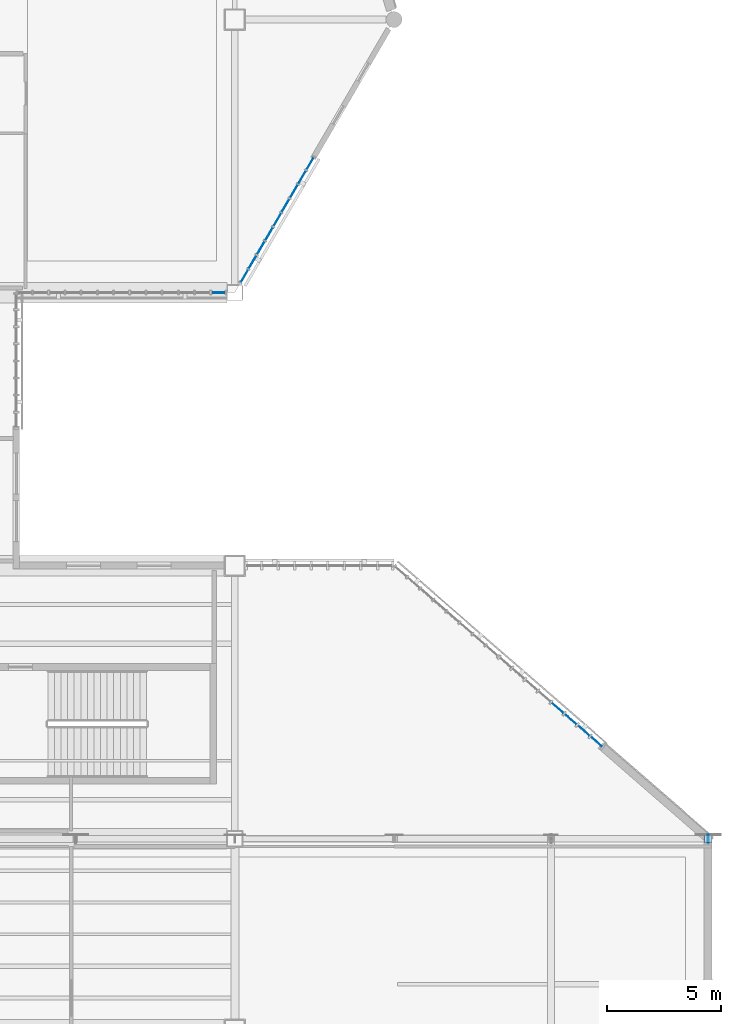
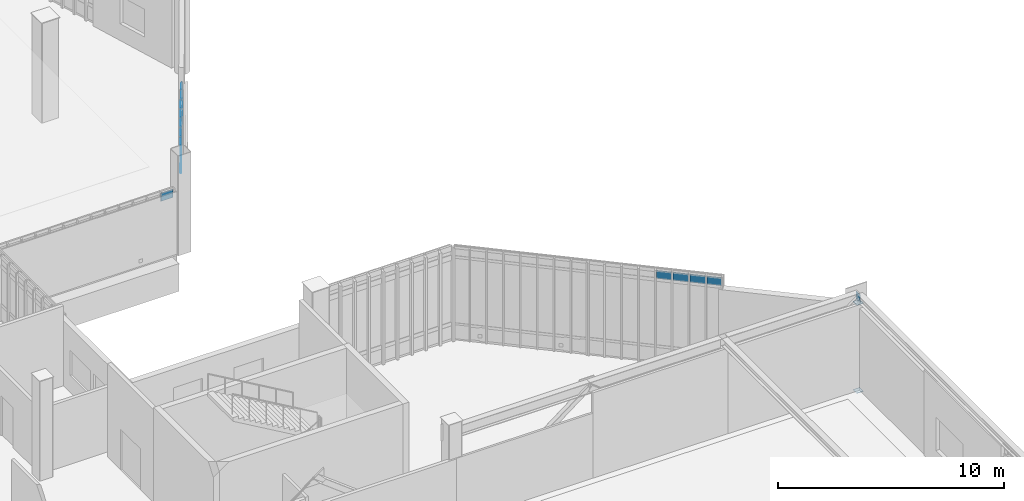
# One storey, part 110 of 135: 17 plates, 3 elements without a shape of their own.
"""IFC4 building model written with IfcOpenShell, lengths in metres."""

from ifc_helpers import new_model, si_unit, direction, frame, origin, origin_2d, place, context, subcontext, project, spatial, rectangle, extrude, material, layer, layer_set, type_object, element, aggregate, save


model = new_model("IFC4")

# Units and contexts
model_context = context("Model", 3, precision=1e-05, world=origin(), true_north=direction((0.0, 1.0)))
body_context = subcontext(model_context, "Body", "Model", "MODEL_VIEW")
ifc_project = project(units=[si_unit("LENGTHUNIT", "METRE"), si_unit("AREAUNIT", "SQUARE_METRE"), si_unit("VOLUMEUNIT", "CUBIC_METRE"), si_unit("PLANEANGLEUNIT", "RADIAN"), si_unit("MASSUNIT", "GRAM", prefix="KILO")], contexts=[model_context])

# Site, building, storey
site_placement = place(None, origin())
site = spatial("IfcSite", under=ifc_project, at=site_placement, CompositionType="ELEMENT")
building_placement = place(site_placement, origin())
building = spatial("IfcBuilding", under=site, at=building_placement, Name="Larkvane Passage Sports Hall", CompositionType="ELEMENT")
storey_placement = place(building_placement, frame((0.0, 0.0, 16.800048828125)))
storey = spatial("IfcBuildingStorey", under=building, at=storey_placement, Name="L03", CompositionType="ELEMENT", Elevation=16.800048828125)

# Curtain wall, plates
ifc_material_1 = material(Name="Thermally broken aluminium and low-E glazing", Category="aluminium")
curtain_wall_type_1 = type_object("IfcCurtainWallType", Name="CW-UNIT-COURT", PredefinedType="USERDEFINED", material=ifc_material_1)
curtain_wall_1_placement = place(storey_placement, origin())
curtain_wall_1 = element("IfcCurtainWall", 1, at=curtain_wall_1_placement, inside=storey, type_object=curtain_wall_type_1, Name="Curtain wall CW5-L03-108", ObjectType="UNITISED CURTAIN WALL", PredefinedType="USERDEFINED")
ifc_material_2 = material(Name="Solar-control low-E double glazing", Category="glass")
ifc_layer_1 = layer(ifc_material_2, 0.028076171875)
ifc_layer_set_1 = layer_set([ifc_layer_1], Name="Solar-control low-E double glazing")
plate_type_1 = type_object("IfcPlateType", Name="CWP-VIS-28", PredefinedType="CURTAIN_PANEL", material=ifc_layer_set_1)
plate_1_placement = place(storey_placement, frame((148.911376953125, 69.2763671875, 3.7880859375), z_axis=(0.0, 0.0, 1.0), x_axis=(-0.503867182467, -0.86378114267, 0.0)))
plate_1 = element("IfcPlate", 2, at=plate_1_placement, type_object=plate_type_1, Name="CW-01 panel 1.3", PredefinedType="CURTAIN_PANEL", context=body_context, shape_type="SweptSolid", body=[
    extrude(rectangle(XDim=0.629150390625, YDim=0.028076171875, at=origin_2d()), origin(), (0.0, 0.0, 1.0), 0.4599609375),
])
plate_2_placement = place(storey_placement, frame((148.556640625, 68.668212890625, 3.7880859375), z_axis=(0.0, 0.0, 1.0), x_axis=(-0.503867182467, -0.86378114267, 0.0)))
plate_2 = element("IfcPlate", 3, at=plate_2_placement, type_object=plate_type_1, Name="CW-01 panel 2.3", PredefinedType="CURTAIN_PANEL", context=body_context, shape_type="SweptSolid", body=[
    extrude(rectangle(XDim=0.6591796875, YDim=0.028076171875, at=origin_2d()), origin(), (0.0, 0.0, 1.0), 0.4599609375),
])
plate_3_placement = place(storey_placement, frame((148.1943359375, 68.047119140625, 3.7880859375), z_axis=(0.0, 0.0, 1.0), x_axis=(-0.503867182467, -0.86378114267, 0.0)))
plate_3 = element("IfcPlate", 4, at=plate_3_placement, type_object=plate_type_1, Name="CW-01 panel 3.3", PredefinedType="CURTAIN_PANEL", context=body_context, shape_type="SweptSolid", body=[
    extrude(rectangle(XDim=0.6591796875, YDim=0.028076171875, at=origin_2d()), origin(), (0.0, 0.0, 1.0), 0.4599609375),
])
plate_4_placement = place(storey_placement, frame((147.83203125, 67.426025390625, 3.7880859375), z_axis=(0.0, 0.0, 1.0), x_axis=(-0.503867182467, -0.86378114267, 0.0)))
plate_4 = element("IfcPlate", 5, at=plate_4_placement, type_object=plate_type_1, Name="CW-01 panel 4.3", PredefinedType="CURTAIN_PANEL", context=body_context, shape_type="SweptSolid", body=[
    extrude(rectangle(XDim=0.6591796875, YDim=0.028076171875, at=origin_2d()), origin(), (0.0, 0.0, 1.0), 0.4599609375),
])
plate_5_placement = place(storey_placement, frame((147.469482421875, 66.804931640625, 3.7880859375), z_axis=(0.0, 0.0, 1.0), x_axis=(-0.503867182467, -0.86378114267, 0.0)))
plate_5 = element("IfcPlate", 6, at=plate_5_placement, type_object=plate_type_1, Name="CW-01 panel 5.3", PredefinedType="CURTAIN_PANEL", context=body_context, shape_type="SweptSolid", body=[
    extrude(rectangle(XDim=0.6591796875, YDim=0.028076171875, at=origin_2d()), origin(), (0.0, 0.0, 1.0), 0.4599609375),
])
plate_6_placement = place(storey_placement, frame((147.107177734375, 66.183837890625, 3.7880859375), z_axis=(0.0, 0.0, 1.0), x_axis=(-0.503867182467, -0.86378114267, 0.0)))
plate_6 = element("IfcPlate", 7, at=plate_6_placement, type_object=plate_type_1, Name="CW-01 panel 6.3", PredefinedType="CURTAIN_PANEL", context=body_context, shape_type="SweptSolid", body=[
    extrude(rectangle(XDim=0.6591796875, YDim=0.028076171875, at=origin_2d()), origin(), (0.0, 0.0, 1.0), 0.4599609375),
])
plate_7_placement = place(storey_placement, frame((146.744873046875, 65.562744140625, 3.7880859375), z_axis=(0.0, 0.0, 1.0), x_axis=(-0.503867182467, -0.86378114267, 0.0)))
plate_7 = element("IfcPlate", 8, at=plate_7_placement, type_object=plate_type_1, Name="CW-01 panel 7.3", PredefinedType="CURTAIN_PANEL", context=body_context, shape_type="SweptSolid", body=[
    extrude(rectangle(XDim=0.6591796875, YDim=0.028076171875, at=origin_2d()), origin(), (0.0, 0.0, 1.0), 0.4599609375),
])
plate_8_placement = place(storey_placement, frame((146.382568359375, 64.941650390625, 3.7880859375), z_axis=(0.0, 0.0, 1.0), x_axis=(-0.503867182467, -0.86378114267, 0.0)))
plate_8 = element("IfcPlate", 9, at=plate_8_placement, type_object=plate_type_1, Name="CW-01 panel 8.3", PredefinedType="CURTAIN_PANEL", context=body_context, shape_type="SweptSolid", body=[
    extrude(rectangle(XDim=0.6591796875, YDim=0.028076171875, at=origin_2d()), origin(), (0.0, 0.0, 1.0), 0.4599609375),
])
plate_9_placement = place(storey_placement, frame((146.02783203125, 64.33349609375, 3.7880859375), z_axis=(0.0, 0.0, 1.0), x_axis=(-0.503867182467, -0.86378114267, 0.0)))
plate_9 = element("IfcPlate", 10, at=plate_9_placement, type_object=plate_type_1, Name="CW-01 panel 9.3", PredefinedType="CURTAIN_PANEL", context=body_context, shape_type="SweptSolid", body=[
    extrude(rectangle(XDim=0.629150390625, YDim=0.028076171875, at=origin_2d()), origin(), (0.0, 0.0, 1.0), 0.4599609375),
])
aggregate(curtain_wall_1, [plate_1, plate_2, plate_3, plate_4, plate_5, plate_6, plate_7, plate_8, plate_9])

# Curtain wall, plate
curtain_wall_type_2 = type_object("IfcCurtainWallType", Name="CW-UNIT-VEIL", PredefinedType="USERDEFINED", material=ifc_material_1)
curtain_wall_2_placement = place(storey_placement, origin())
curtain_wall_2 = element("IfcCurtainWall", 11, at=curtain_wall_2_placement, inside=storey, type_object=curtain_wall_type_2, Name="Curtain wall CW5-L03-109", ObjectType="UNITISED CURTAIN WALL", PredefinedType="USERDEFINED")
ifc_material_3 = material(Name="Laminated acoustic low-E glazing", Category="glass")
ifc_layer_2 = layer(ifc_material_3, 0.031982421875)
ifc_layer_set_2 = layer_set([ifc_layer_2], Name="Laminated acoustic low-E glazing")
plate_type_2 = type_object("IfcPlateType", Name="CWP-VIS-32", PredefinedType="CURTAIN_PANEL", material=ifc_layer_set_2)
plate_10_placement = place(storey_placement, frame((144.880615234375, 63.60009765625, 2.99267578125), z_axis=(0.0, 0.0, 1.0), x_axis=(-1.0, 0.0, 0.0)))
plate_10 = element("IfcPlate", 12, at=plate_10_placement, type_object=plate_type_2, Name="CW-02 panel 1.3", PredefinedType="CURTAIN_PANEL", context=body_context, shape_type="SweptSolid", body=[
    extrude(rectangle(XDim=0.60693359375, YDim=0.031982421875, at=origin_2d()), origin(), (0.0, 0.0, 1.0), 0.445068359375),
])
aggregate(curtain_wall_2, [plate_10])

# Curtain wall, plates
curtain_wall_3_placement = place(storey_placement, origin())
curtain_wall_3 = element("IfcCurtainWall", 13, at=curtain_wall_3_placement, inside=storey, type_object=curtain_wall_type_2, Name="Curtain wall CW5-L03-113", ObjectType="UNITISED CURTAIN WALL", PredefinedType="USERDEFINED")
plate_11_placement = place(storey_placement, frame((159.78759765625, 45.35009765625, 4.517333984375), z_axis=(0.0, 0.0, 1.0), x_axis=(0.754605522159, -0.65617871493, 0.0)))
plate_11 = element("IfcPlate", 14, at=plate_11_placement, type_object=plate_type_2, Name="CW-02 panel 5.3", PredefinedType="CURTAIN_PANEL", context=body_context, shape_type="SweptSolid", body=[
    extrude(rectangle(XDim=0.68701171875, YDim=0.031982421875, at=origin_2d()), origin(), (0.0, 0.0, 1.0), 0.4375),
])
plate_12_placement = place(storey_placement, frame((160.362548828125, 44.85009765625, 4.517333984375), z_axis=(0.0, 0.0, 1.0), x_axis=(0.754605522159, -0.65617871493, 0.0)))
plate_12 = element("IfcPlate", 15, at=plate_12_placement, type_object=plate_type_2, Name="CW-02 panel 6.3", PredefinedType="CURTAIN_PANEL", context=body_context, shape_type="SweptSolid", body=[
    extrude(rectangle(XDim=0.68701171875, YDim=0.031982421875, at=origin_2d()), origin(), (0.0, 0.0, 1.0), 0.4375),
])
plate_13_placement = place(storey_placement, frame((160.9375, 44.35009765625, 4.517333984375), z_axis=(0.0, 0.0, 1.0), x_axis=(0.754605522159, -0.65617871493, 0.0)))
plate_13 = element("IfcPlate", 16, at=plate_13_placement, type_object=plate_type_2, Name="CW-02 panel 7.3", PredefinedType="CURTAIN_PANEL", context=body_context, shape_type="SweptSolid", body=[
    extrude(rectangle(XDim=0.68701171875, YDim=0.031982421875, at=origin_2d()), origin(), (0.0, 0.0, 1.0), 0.4375),
])
plate_14_placement = place(storey_placement, frame((161.498291015625, 43.8623046875, 4.517333984375), z_axis=(0.0, 0.0, 1.0), x_axis=(0.754605522159, -0.65617871493, 0.0)))
plate_14 = element("IfcPlate", 17, at=plate_14_placement, type_object=plate_type_2, Name="CW-02 panel 8.3", PredefinedType="CURTAIN_PANEL", context=body_context, shape_type="SweptSolid", body=[
    extrude(rectangle(XDim=0.6494140625, YDim=0.031982421875, at=origin_2d()), origin(), (0.0, 0.0, 1.0), 0.4375),
])
aggregate(curtain_wall_3, [plate_11, plate_12, plate_13, plate_14])

# Plates
ifc_material_4 = material(Name="Steel S460N", Category="steel")
ifc_layer_3 = layer(ifc_material_4, 0.02001953125)
ifc_layer_set_3 = layer_set([ifc_layer_3], Name="Steel S460N")
plate_type_3 = type_object("IfcPlateType", Name="PLT-CAP-20", PredefinedType="SHEET", material=ifc_layer_set_3)
plate_15_placement = place(storey_placement, frame((166.407958984375, 39.60009765625, 4.512451171875), z_axis=(0.0, 0.0, 1.0), x_axis=(0.0, 1.0, 0.0)))
element("IfcPlate", 18, at=plate_15_placement, inside=storey, type_object=plate_type_3, Name="Hollow section sealed end cap plate 0192", PredefinedType="SHEET", context=body_context, shape_type="SweptSolid", body=[
    extrude(rectangle(XDim=0.360107421875, YDim=0.028076171875, at=origin_2d()), origin(), (0.0, 0.0, 1.0), 0.43896484375),
])
for number, where, z_axis, x_axis, name in (
    (19, (166.39990234375, 39.60009765625, -0.340087890625), (0.0, 0.0, 1.0), (1.0, 0.0, 0.0), "Hollow section sealed end cap plate 0195"),
    (20, (166.39990234375, 39.60009765625, 4.431884765625), (0.0, 0.0, 1.0), (1.0, 0.0, 0.0), "Hollow section sealed end cap plate 0196"),
):
    element("IfcPlate", number, at=place(storey_placement, frame(where, z_axis=z_axis, x_axis=x_axis)), inside=storey, type_object=plate_type_3, Name=name, PredefinedType="SHEET", context=body_context, shape_type="SweptSolid", body=[
        extrude(rectangle(XDim=0.340087890625, YDim=0.340087890625, at=origin_2d()), origin(), (0.0, 0.0, 1.0), 0.02001953125),
    ])

save(model, "model.ifc")
